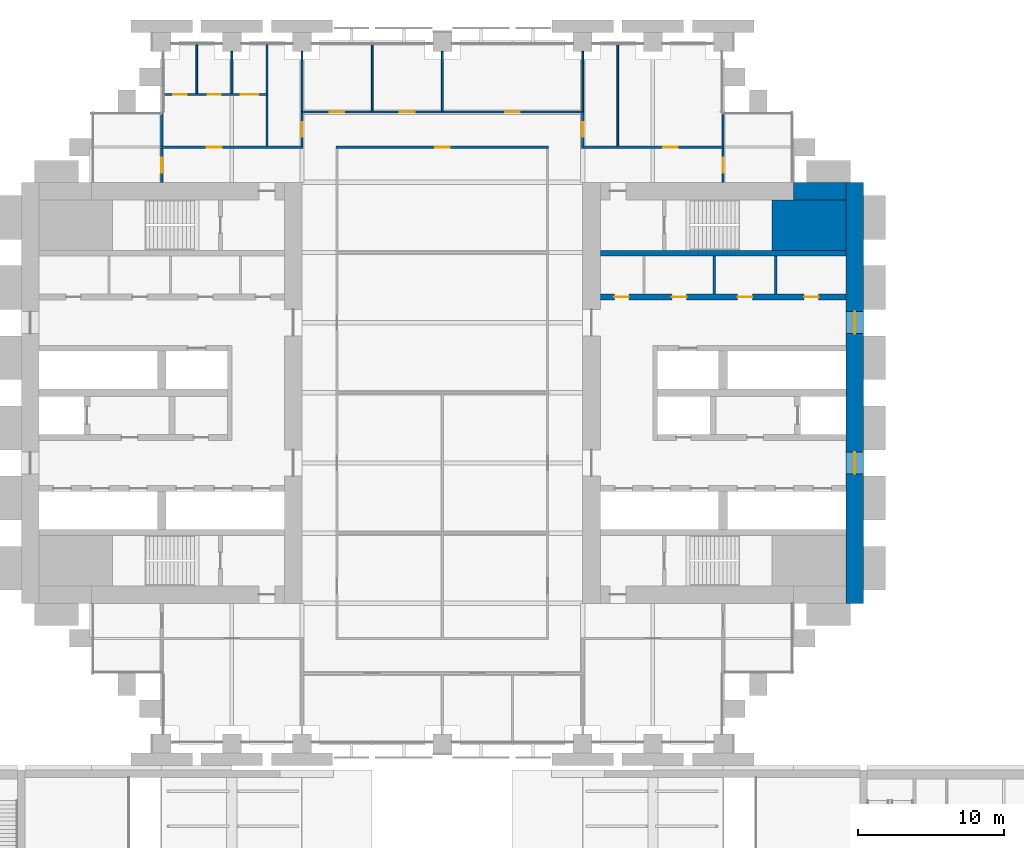
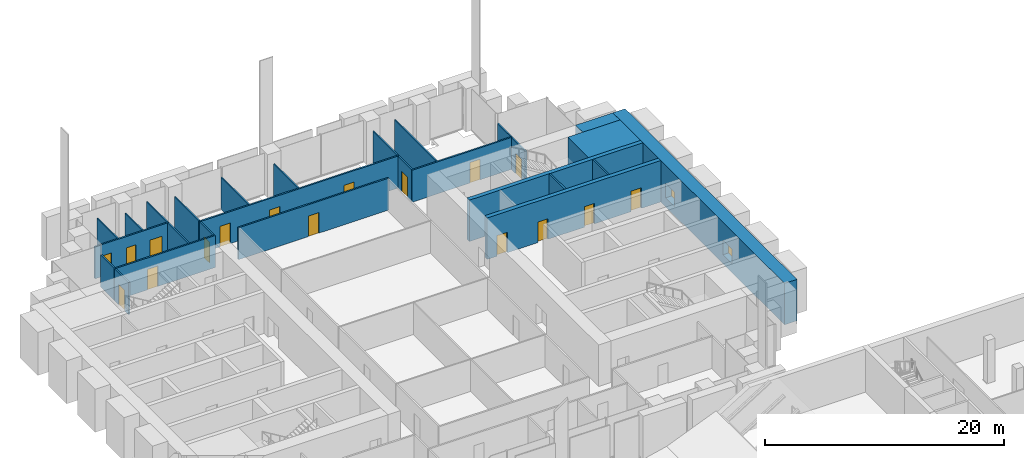
# One storey, part 24 of 32: 27 walls, 17 doors, 2 windows, 19 openings.
"""IFC4 building model written with IfcOpenShell, lengths in metres."""

from ifc_helpers import new_model, si_unit, direction, frame, frame_2d, origin, place, context, subcontext, project, spatial, rectangle, extrude, material, layer, layer_set, type_object, element, fill, save


model = new_model("IFC4")

# Units and contexts
model_context = context("Model", 3, precision=1e-05, world=origin(), true_north=direction((0.0, 1.0)))
body_context = subcontext(model_context, "Body", "Model", "MODEL_VIEW")
ifc_project = project(units=[si_unit("LENGTHUNIT", "METRE"), si_unit("AREAUNIT", "SQUARE_METRE"), si_unit("VOLUMEUNIT", "CUBIC_METRE"), si_unit("PLANEANGLEUNIT", "RADIAN"), si_unit("MASSUNIT", "GRAM", prefix="KILO")], contexts=[model_context])

# Site, building, storey
site_placement = place(None, origin())
site = spatial("IfcSite", under=ifc_project, at=site_placement, CompositionType="ELEMENT")
building_placement = place(site_placement, origin())
building = spatial("IfcBuilding", under=site, at=building_placement, Name="Baori Bourse Tower", CompositionType="ELEMENT")
storey_placement = place(building_placement, frame((0.0, 0.0, 12.60009765625)))
storey = spatial("IfcBuildingStorey", under=building, at=storey_placement, Name="L01", CompositionType="ELEMENT", Elevation=12.60009765625)

# Walls
ifc_material_1 = material(Name="Concrete f'c 70 MPa", Category="concrete")
wall_type_1 = type_object("IfcWallType", Name="Core corner block f'c 70", PredefinedType="SHEAR", material=ifc_material_1)
wall_1_placement = place(storey_placement, frame((51.35009765625, 35.47509765625, 0.0), z_axis=(0.0, 0.0, 1.0), x_axis=(1.0, 0.0, 0.0)))
element("IfcWall", 1, at=wall_1_placement, inside=storey, type_object=wall_type_1, Name="Core wall E22", PredefinedType="SHEAR", context=body_context, shape_type="SweptSolid", body=[
    extrude(rectangle(XDim=5.0498046875, YDim=3.449951171875, at=frame_2d((2.52490234375, 0.0))), origin(), (0.0, 0.0, 1.0), 4.239990234375),
])
ifc_material_2 = material(Name="Blockwork partition", Category="masonry")
ifc_layer_1 = layer(ifc_material_2, 0.14990234375)
ifc_layer_set_1 = layer_set([ifc_layer_1], Name="Core partition 150")
wall_type_2 = type_object("IfcWallType", Name="Core partition 150", PredefinedType="PARTITIONING", material=ifc_layer_set_1)
for number, where, z_axis, x_axis, name in (
    (2, (51.60009765625, 30.75, 0.0), (0.0, 0.0, 1.0), (0.0, 1.0, 0.0), "Partition wall E18"),
    (3, (47.39990234375, 30.75, 0.0), (0.0, 0.0, 1.0), (0.0, 1.0, 0.0), "Partition wall E19"),
):
    element("IfcWall", number, at=place(storey_placement, frame(where, z_axis=z_axis, x_axis=x_axis)), inside=storey, type_object=wall_type_2, Name=name, PredefinedType="PARTITIONING", context=body_context, shape_type="SweptSolid", body=[
        extrude(rectangle(XDim=2.60009765625, YDim=0.14990234375, at=frame_2d((1.300048828125, 0.0))), origin(), (0.0, 0.0, 1.0), 4.239990234375),
    ])

# Wall, openings, windows
ifc_material_3 = material(Name="Concrete f'c 70 MPa", Category="concrete")
ifc_layer_2 = layer(ifc_material_3, 1.199951171875)
ifc_layer_set_2 = layer_set([ifc_layer_2], Name="Core wall 1200 f'c 70")
wall_type_3 = type_object("IfcWallType", Name="Core wall 1200 f'c 70", PredefinedType="SHEAR", material=ifc_layer_set_2)
wall_2_placement = place(storey_placement, frame((57.0, 38.39990234375, 0.0), z_axis=(0.0, 0.0, 1.0), x_axis=(0.0, -1.0, 0.0)))
wall_2 = element("IfcWall", 4, at=wall_2_placement, inside=storey, type_object=wall_type_3, Name="Core wall E01", PredefinedType="SHEAR", context=body_context, shape_type="SweptSolid", body=[
    extrude(rectangle(XDim=28.7998046875, YDim=1.199951171875, at=frame_2d((14.39990234375, 0.0))), origin(), (0.0, 0.0, 1.0), 4.239990234375),
])
opening_1_placement = place(wall_2_placement, frame((18.449951171875, 0.0, 0.89990234375)))
opening_1 = element("IfcOpeningElement", 5, at=opening_1_placement, cuts=wall_2, Name="Opening L01-KW201", PredefinedType="OPENING", context=body_context, shape_type="SweptSolid", body=[
    extrude(rectangle(XDim=1.5, YDim=1.5, at=frame_2d((0.75, 0.75))), frame((0.0, 0.60986328125, 0.0), z_axis=(0.0, -1.0, 0.0), x_axis=(1.0, 0.0, 0.0)), (0.0, 0.0, 1.0), 1.219970703125),
])
opening_2_placement = place(wall_2_placement, frame((8.85009765625, 0.0, 0.89990234375)))
opening_2 = element("IfcOpeningElement", 6, at=opening_2_placement, cuts=wall_2, Name="Opening L01-KW202", PredefinedType="OPENING", context=body_context, shape_type="SweptSolid", body=[
    extrude(rectangle(XDim=1.5, YDim=1.5, at=frame_2d((0.75, 0.75))), frame((0.0, 0.60986328125, 0.0), z_axis=(0.0, -1.0, 0.0), x_axis=(1.0, 0.0, 0.0)), (0.0, 0.0, 1.0), 1.219970703125),
])
ifc_material_4 = material(Name="Pale anodised aluminium", Category="aluminium")
window_type = type_object("IfcWindowType", Name="Lobby window 1500 x 1500", PartitioningType="SINGLE_PANEL", PredefinedType="WINDOW", material=ifc_material_4)
window_1_placement = place(opening_1_placement, origin())
window_1 = element("IfcWindow", 7, at=window_1_placement, inside=storey, type_object=window_type, Name="Outer wall window E L01 1", OverallHeight=1.5, OverallWidth=1.5, PartitioningType="SINGLE_PANEL", PredefinedType="WINDOW", context=body_context, shape_type="SweptSolid", body=[
    extrude(rectangle(XDim=1.5, YDim=1.5, at=frame_2d((0.75, 0.75))), frame((0.0, 0.030029296875, 0.0), z_axis=(0.0, -1.0, 0.0), x_axis=(1.0, 0.0, 0.0)), (0.0, 0.0, 1.0), 0.06005859375),
])
fill(opening_1, window_1)
window_2_placement = place(opening_2_placement, origin())
window_2 = element("IfcWindow", 8, at=window_2_placement, inside=storey, type_object=window_type, Name="Outer wall window E L01 2", OverallHeight=1.5, OverallWidth=1.5, PartitioningType="SINGLE_PANEL", PredefinedType="WINDOW", context=body_context, shape_type="SweptSolid", body=[
    extrude(rectangle(XDim=1.5, YDim=1.5, at=frame_2d((0.75, 0.75))), frame((0.0, 0.030029296875, 0.0), z_axis=(0.0, -1.0, 0.0), x_axis=(1.0, 0.0, 0.0)), (0.0, 0.0, 1.0), 0.06005859375),
])
fill(opening_2, window_2)

# Wall
wall_3_placement = place(storey_placement, frame((52.800048828125, 37.800048828125, 0.0), z_axis=(0.0, 0.0, 1.0), x_axis=(1.0, 0.0, 0.0)))
element("IfcWall", 9, at=wall_3_placement, inside=storey, type_object=wall_type_3, Name="Core wall E24", PredefinedType="SHEAR", context=body_context, shape_type="SweptSolid", body=[
    extrude(rectangle(XDim=3.599853515625, YDim=1.199951171875, at=frame_2d((1.7998046875, 0.0))), origin(), (0.0, 0.0, 1.0), 4.239990234375),
])

# Wall, opening, door
ifc_material_5 = material(Name="Gypsum board partition")
ifc_layer_3 = layer(ifc_material_5, 0.14990234375)
ifc_layer_set_3 = layer_set([ifc_layer_3], Name="Corridor partition 150")
wall_type_4 = type_object("IfcWallType", Name="Corridor partition 150", PredefinedType="PARTITIONING", material=ifc_layer_set_3)
wall_4_placement = place(storey_placement, frame((9.52490234375, 40.800048828125, 0.0), z_axis=(0.0, 0.0, 1.0), x_axis=(1.0, 0.0, 0.0)))
wall_4 = element("IfcWall", 10, at=wall_4_placement, inside=storey, type_object=wall_type_4, Name="Partition", PredefinedType="PARTITIONING", context=body_context, shape_type="SweptSolid", body=[
    extrude(rectangle(XDim=9.75, YDim=0.14990234375, at=frame_2d((4.875, 0.0))), origin(), (0.0, 0.0, 1.0), 3.26953125),
])
opening_3_placement = place(wall_4_placement, frame((3.175048828125, 0.0, 0.0)))
opening_3 = element("IfcOpeningElement", 11, at=opening_3_placement, cuts=wall_4, Name="Opening L01-D06", PredefinedType="OPENING", context=body_context, shape_type="SweptSolid", body=[
    extrude(rectangle(XDim=1.0, YDim=2.10009765625, at=frame_2d((0.5, 1.050048828125))), frame((0.0, 0.0849609375, 0.0), z_axis=(0.0, -1.0, 0.0), x_axis=(1.0, 0.0, 0.0)), (0.0, 0.0, 1.0), 0.169921875),
])
ifc_material_6 = material(Name="Timber door leaf", Category="wood")
door_type_1 = type_object("IfcDoorType", Name="Door 1000 x 2100", OperationType="SINGLE_SWING_LEFT", PredefinedType="DOOR", material=ifc_material_6)
door_1_placement = place(opening_3_placement, origin())
door_1 = element("IfcDoor", 12, at=door_1_placement, inside=storey, type_object=door_type_1, Name="Door", OperationType="SINGLE_SWING_LEFT", OverallHeight=2.10009765625, OverallWidth=1.0, PredefinedType="DOOR", context=body_context, shape_type="SweptSolid", body=[
    extrude(rectangle(XDim=1.0, YDim=2.10009765625, at=frame_2d((0.5, 1.050048828125))), frame((0.0, 0.02490234375, 0.0), z_axis=(0.0, -1.0, 0.0), x_axis=(1.0, 0.0, 0.0)), (0.0, 0.0, 1.0), 0.050048828125),
])
fill(opening_3, door_1)

wall_5_placement = place(storey_placement, frame((21.52490234375, 40.800048828125, 0.0), z_axis=(0.0, 0.0, 1.0), x_axis=(1.0, 0.0, 0.0)))
wall_5 = element("IfcWall", 13, at=wall_5_placement, inside=storey, type_object=wall_type_4, Name="Partition", PredefinedType="PARTITIONING", context=body_context, shape_type="SweptSolid", body=[
    extrude(rectangle(XDim=14.550048828125, YDim=0.14990234375, at=frame_2d((7.27490234375, 0.0))), origin(), (0.0, 0.0, 1.0), 3.26953125),
])
opening_4_placement = place(wall_5_placement, frame((6.77490234375, 0.0, 0.0)))
opening_4 = element("IfcOpeningElement", 14, at=opening_4_placement, cuts=wall_5, Name="Opening L01-D07", PredefinedType="OPENING", context=body_context, shape_type="SweptSolid", body=[
    extrude(rectangle(XDim=1.0, YDim=2.10009765625, at=frame_2d((0.5, 1.050048828125))), frame((0.0, 0.0849609375, 0.0), z_axis=(0.0, -1.0, 0.0), x_axis=(1.0, 0.0, 0.0)), (0.0, 0.0, 1.0), 0.169921875),
])
door_2_placement = place(opening_4_placement, origin())
door_2 = element("IfcDoor", 15, at=door_2_placement, inside=storey, type_object=door_type_1, Name="Door", OperationType="SINGLE_SWING_LEFT", OverallHeight=2.10009765625, OverallWidth=1.0, PredefinedType="DOOR", context=body_context, shape_type="SweptSolid", body=[
    extrude(rectangle(XDim=1.0, YDim=2.10009765625, at=frame_2d((0.5, 1.050048828125))), frame((0.0, 0.02490234375, 0.0), z_axis=(0.0, -1.0, 0.0), x_axis=(1.0, 0.0, 0.0)), (0.0, 0.0, 1.0), 0.050048828125),
])
fill(opening_4, door_2)

wall_6_placement = place(storey_placement, frame((38.324951171875, 40.800048828125, 0.0), z_axis=(0.0, 0.0, 1.0), x_axis=(1.0, 0.0, 0.0)))
wall_6 = element("IfcWall", 16, at=wall_6_placement, inside=storey, type_object=wall_type_4, Name="Partition", PredefinedType="PARTITIONING", context=body_context, shape_type="SweptSolid", body=[
    extrude(rectangle(XDim=9.75, YDim=0.14990234375, at=frame_2d((4.875, 0.0))), origin(), (0.0, 0.0, 1.0), 3.26953125),
])
opening_5_placement = place(wall_6_placement, frame((5.574951171875, 0.0, 0.0)))
opening_5 = element("IfcOpeningElement", 17, at=opening_5_placement, cuts=wall_6, Name="Opening L01-D08", PredefinedType="OPENING", context=body_context, shape_type="SweptSolid", body=[
    extrude(rectangle(XDim=1.0, YDim=2.10009765625, at=frame_2d((0.5, 1.050048828125))), frame((0.0, 0.0849609375, 0.0), z_axis=(0.0, -1.0, 0.0), x_axis=(1.0, 0.0, 0.0)), (0.0, 0.0, 1.0), 0.169921875),
])
door_3_placement = place(opening_5_placement, origin())
door_3 = element("IfcDoor", 18, at=door_3_placement, inside=storey, type_object=door_type_1, Name="Door", OperationType="SINGLE_SWING_LEFT", OverallHeight=2.10009765625, OverallWidth=1.0, PredefinedType="DOOR", context=body_context, shape_type="SweptSolid", body=[
    extrude(rectangle(XDim=1.0, YDim=2.10009765625, at=frame_2d((0.5, 1.050048828125))), frame((0.0, 0.02490234375, 0.0), z_axis=(0.0, -1.0, 0.0), x_axis=(1.0, 0.0, 0.0)), (0.0, 0.0, 1.0), 0.050048828125),
])
fill(opening_5, door_3)

# Wall, openings, doors
wall_7_placement = place(storey_placement, frame((19.125, 43.199951171875, 0.0), z_axis=(0.0, 0.0, 1.0), x_axis=(1.0, 0.0, 0.0)))
wall_7 = element("IfcWall", 19, at=wall_7_placement, inside=storey, type_object=wall_type_4, Name="Partition", PredefinedType="PARTITIONING", context=body_context, shape_type="SweptSolid", body=[
    extrude(rectangle(XDim=19.35009765625, YDim=0.14990234375, at=frame_2d((9.675048828125, 0.0))), origin(), (0.0, 0.0, 1.0), 3.26953125),
])
opening_6_placement = place(wall_7_placement, frame((1.97509765625, 0.0, 0.0)))
opening_6 = element("IfcOpeningElement", 20, at=opening_6_placement, cuts=wall_7, Name="Opening L01-D09", PredefinedType="OPENING", context=body_context, shape_type="SweptSolid", body=[
    extrude(rectangle(XDim=1.0, YDim=2.10009765625, at=frame_2d((0.5, 1.050048828125))), frame((0.0, 0.0849609375, 0.0), z_axis=(0.0, -1.0, 0.0), x_axis=(1.0, 0.0, 0.0)), (0.0, 0.0, 1.0), 0.169921875),
])
opening_7_placement = place(wall_7_placement, frame((6.77490234375, 0.0, 0.0)))
opening_7 = element("IfcOpeningElement", 21, at=opening_7_placement, cuts=wall_7, Name="Opening L01-D10", PredefinedType="OPENING", context=body_context, shape_type="SweptSolid", body=[
    extrude(rectangle(XDim=1.0, YDim=2.10009765625, at=frame_2d((0.5, 1.050048828125))), frame((0.0, 0.0849609375, 0.0), z_axis=(0.0, -1.0, 0.0), x_axis=(1.0, 0.0, 0.0)), (0.0, 0.0, 1.0), 0.169921875),
])
opening_8_placement = place(wall_7_placement, frame((13.97509765625, 0.0, 0.0)))
opening_8 = element("IfcOpeningElement", 22, at=opening_8_placement, cuts=wall_7, Name="Opening L01-D11", PredefinedType="OPENING", context=body_context, shape_type="SweptSolid", body=[
    extrude(rectangle(XDim=1.0, YDim=2.10009765625, at=frame_2d((0.5, 1.050048828125))), frame((0.0, 0.0849609375, 0.0), z_axis=(0.0, -1.0, 0.0), x_axis=(1.0, 0.0, 0.0)), (0.0, 0.0, 1.0), 0.169921875),
])
door_4_placement = place(opening_6_placement, origin())
door_4 = element("IfcDoor", 23, at=door_4_placement, inside=storey, type_object=door_type_1, Name="Door", OperationType="SINGLE_SWING_RIGHT", OverallHeight=2.10009765625, OverallWidth=1.0, PredefinedType="DOOR", context=body_context, shape_type="SweptSolid", body=[
    extrude(rectangle(XDim=1.0, YDim=2.10009765625, at=frame_2d((0.5, 1.050048828125))), frame((0.0, 0.02490234375, 0.0), z_axis=(0.0, -1.0, 0.0), x_axis=(1.0, 0.0, 0.0)), (0.0, 0.0, 1.0), 0.050048828125),
])
fill(opening_6, door_4)
door_5_placement = place(opening_7_placement, origin())
door_5 = element("IfcDoor", 24, at=door_5_placement, inside=storey, type_object=door_type_1, Name="Door", OperationType="SINGLE_SWING_RIGHT", OverallHeight=2.10009765625, OverallWidth=1.0, PredefinedType="DOOR", context=body_context, shape_type="SweptSolid", body=[
    extrude(rectangle(XDim=1.0, YDim=2.10009765625, at=frame_2d((0.5, 1.050048828125))), frame((0.0, 0.02490234375, 0.0), z_axis=(0.0, -1.0, 0.0), x_axis=(1.0, 0.0, 0.0)), (0.0, 0.0, 1.0), 0.050048828125),
])
fill(opening_7, door_5)
door_6_placement = place(opening_8_placement, origin())
door_6 = element("IfcDoor", 25, at=door_6_placement, inside=storey, type_object=door_type_1, Name="Door", OperationType="SINGLE_SWING_LEFT", OverallHeight=2.10009765625, OverallWidth=1.0, PredefinedType="DOOR", context=body_context, shape_type="SweptSolid", body=[
    extrude(rectangle(XDim=1.0, YDim=2.10009765625, at=frame_2d((0.5, 1.050048828125))), frame((0.0, 0.02490234375, 0.0), z_axis=(0.0, -1.0, 0.0), x_axis=(1.0, 0.0, 0.0)), (0.0, 0.0, 1.0), 0.050048828125),
])
fill(opening_8, door_6)

wall_8_placement = place(storey_placement, frame((9.699951171875, 44.39990234375, 0.0), z_axis=(0.0, 0.0, 1.0), x_axis=(1.0, 0.0, 0.0)))
wall_8 = element("IfcWall", 26, at=wall_8_placement, inside=storey, type_object=wall_type_4, Name="Partition", PredefinedType="PARTITIONING", context=body_context, shape_type="SweptSolid", body=[
    extrude(rectangle(XDim=7.175048828125, YDim=0.14990234375, at=frame_2d((3.58740234375, 0.0))), origin(), (0.0, 0.0, 1.0), 3.26953125),
])
opening_9_placement = place(wall_8_placement, frame((0.699951171875, 0.0, 0.0)))
opening_9 = element("IfcOpeningElement", 27, at=opening_9_placement, cuts=wall_8, Name="Opening L01-D12", PredefinedType="OPENING", context=body_context, shape_type="SweptSolid", body=[
    extrude(rectangle(XDim=0.89990234375, YDim=2.10009765625, at=frame_2d((0.449951171875, 1.050048828125))), frame((0.0, 0.0849609375, 0.0), z_axis=(0.0, -1.0, 0.0), x_axis=(1.0, 0.0, 0.0)), (0.0, 0.0, 1.0), 0.169921875),
])
opening_10_placement = place(wall_8_placement, frame((3.050048828125, 0.0, 0.0)))
opening_10 = element("IfcOpeningElement", 28, at=opening_10_placement, cuts=wall_8, Name="Opening L01-D13", PredefinedType="OPENING", context=body_context, shape_type="SweptSolid", body=[
    extrude(rectangle(XDim=0.89990234375, YDim=2.10009765625, at=frame_2d((0.449951171875, 1.050048828125))), frame((0.0, 0.0849609375, 0.0), z_axis=(0.0, -1.0, 0.0), x_axis=(1.0, 0.0, 0.0)), (0.0, 0.0, 1.0), 0.169921875),
])
opening_11_placement = place(wall_8_placement, frame((5.300048828125, 0.0, 0.0)))
opening_11 = element("IfcOpeningElement", 29, at=opening_11_placement, cuts=wall_8, Name="Opening L01-D14", PredefinedType="OPENING", context=body_context, shape_type="SweptSolid", body=[
    extrude(rectangle(XDim=1.199951171875, YDim=2.10009765625, at=frame_2d((0.60009765625, 1.050048828125))), frame((0.0, 0.0849609375, 0.0), z_axis=(0.0, -1.0, 0.0), x_axis=(1.0, 0.0, 0.0)), (0.0, 0.0, 1.0), 0.169921875),
])
ifc_material_7 = material(Name="Timber door leaf", Category="wood")
door_type_2 = type_object("IfcDoorType", Name="Door 1200 x 2100", OperationType="SINGLE_SWING_LEFT", PredefinedType="DOOR", material=ifc_material_7)
door_7_placement = place(opening_11_placement, origin())
door_7 = element("IfcDoor", 30, at=door_7_placement, inside=storey, type_object=door_type_2, Name="Door", OperationType="SINGLE_SWING_LEFT", OverallHeight=2.10009765625, OverallWidth=1.199951171875, PredefinedType="DOOR", context=body_context, shape_type="SweptSolid", body=[
    extrude(rectangle(XDim=1.199951171875, YDim=2.10009765625, at=frame_2d((0.60009765625, 1.050048828125))), frame((0.0, 0.02490234375, 0.0), z_axis=(0.0, -1.0, 0.0), x_axis=(1.0, 0.0, 0.0)), (0.0, 0.0, 1.0), 0.050048828125),
])
fill(opening_11, door_7)
ifc_material_8 = material(Name="Timber door leaf", Category="wood")
door_type_3 = type_object("IfcDoorType", Name="Door 900 x 2100", OperationType="SINGLE_SWING_LEFT", PredefinedType="DOOR", material=ifc_material_8)
door_8_placement = place(opening_9_placement, origin())
door_8 = element("IfcDoor", 31, at=door_8_placement, inside=storey, type_object=door_type_3, Name="Door", OperationType="SINGLE_SWING_RIGHT", OverallHeight=2.10009765625, OverallWidth=0.89990234375, PredefinedType="DOOR", context=body_context, shape_type="SweptSolid", body=[
    extrude(rectangle(XDim=0.89990234375, YDim=2.10009765625, at=frame_2d((0.449951171875, 1.050048828125))), frame((0.0, 0.02490234375, 0.0), z_axis=(0.0, -1.0, 0.0), x_axis=(1.0, 0.0, 0.0)), (0.0, 0.0, 1.0), 0.050048828125),
])
fill(opening_9, door_8)
door_9_placement = place(opening_10_placement, origin())
door_9 = element("IfcDoor", 32, at=door_9_placement, inside=storey, type_object=door_type_3, Name="Door", OperationType="SINGLE_SWING_RIGHT", OverallHeight=2.10009765625, OverallWidth=0.89990234375, PredefinedType="DOOR", context=body_context, shape_type="SweptSolid", body=[
    extrude(rectangle(XDim=0.89990234375, YDim=2.10009765625, at=frame_2d((0.449951171875, 1.050048828125))), frame((0.0, 0.02490234375, 0.0), z_axis=(0.0, -1.0, 0.0), x_axis=(1.0, 0.0, 0.0)), (0.0, 0.0, 1.0), 0.050048828125),
])
fill(opening_10, door_9)

# Wall, opening, door
wall_9_placement = place(storey_placement, frame((9.60009765625, 38.39990234375, 0.0), z_axis=(0.0, 0.0, 1.0), x_axis=(0.0, 1.0, 0.0)))
wall_9 = element("IfcWall", 33, at=wall_9_placement, inside=storey, type_object=wall_type_4, Name="Partition", PredefinedType="PARTITIONING", context=body_context, shape_type="SweptSolid", body=[
    extrude(rectangle(XDim=2.3251953125, YDim=0.14990234375, at=frame_2d((1.16259765625, 0.0))), origin(), (0.0, 0.0, 1.0), 3.26953125),
])
opening_12_placement = place(wall_9_placement, frame((0.66259765625, 0.0, 0.0)))
opening_12 = element("IfcOpeningElement", 34, at=opening_12_placement, cuts=wall_9, Name="Opening L01-D16", PredefinedType="OPENING", context=body_context, shape_type="SweptSolid", body=[
    extrude(rectangle(XDim=1.0, YDim=2.10009765625, at=frame_2d((0.5, 1.050048828125))), frame((0.0, 0.0849609375, 0.0), z_axis=(0.0, -1.0, 0.0), x_axis=(1.0, 0.0, 0.0)), (0.0, 0.0, 1.0), 0.169921875),
])
door_10_placement = place(opening_12_placement, origin())
door_10 = element("IfcDoor", 35, at=door_10_placement, inside=storey, type_object=door_type_1, Name="Door", OperationType="SINGLE_SWING_RIGHT", OverallHeight=2.10009765625, OverallWidth=1.0, PredefinedType="DOOR", context=body_context, shape_type="SweptSolid", body=[
    extrude(rectangle(XDim=1.0, YDim=2.10009765625, at=frame_2d((0.5, 1.050048828125))), frame((0.0, 0.02490234375, 0.0), z_axis=(0.0, -1.0, 0.0), x_axis=(1.0, 0.0, 0.0)), (0.0, 0.0, 1.0), 0.050048828125),
])
fill(opening_12, door_10)

# Walls
wall_10_placement = place(storey_placement, frame((9.60009765625, 40.875, 0.0), z_axis=(0.0, 0.0, 1.0), x_axis=(0.0, 1.0, 0.0)))
element("IfcWall", 36, at=wall_10_placement, inside=storey, type_object=wall_type_4, Name="Partition", PredefinedType="PARTITIONING", context=body_context, shape_type="SweptSolid", body=[
    extrude(rectangle(XDim=2.22509765625, YDim=0.14990234375, at=frame_2d((1.112548828125, 0.0))), origin(), (0.0, 0.0, 1.0), 3.26953125),
])
wall_11_placement = place(storey_placement, frame((16.800048828125, 40.875, 0.0), z_axis=(0.0, 0.0, 1.0), x_axis=(0.0, 1.0, 0.0)))
element("IfcWall", 37, at=wall_11_placement, inside=storey, type_object=wall_type_4, Name="Partition", PredefinedType="PARTITIONING", context=body_context, shape_type="SweptSolid", body=[
    extrude(rectangle(XDim=3.449951171875, YDim=0.14990234375, at=frame_2d((1.72509765625, 0.0))), origin(), (0.0, 0.0, 1.0), 3.26953125),
])

# Wall, opening, door
wall_12_placement = place(storey_placement, frame((19.199951171875, 40.875, 0.0), z_axis=(0.0, 0.0, 1.0), x_axis=(0.0, 1.0, 0.0)))
wall_12 = element("IfcWall", 38, at=wall_12_placement, inside=storey, type_object=wall_type_4, Name="Partition", PredefinedType="PARTITIONING", context=body_context, shape_type="SweptSolid", body=[
    extrude(rectangle(XDim=2.25, YDim=0.14990234375, at=frame_2d((1.125, 0.0))), origin(), (0.0, 0.0, 1.0), 3.26953125),
])
opening_13_placement = place(wall_12_placement, frame((0.625, 0.0, 0.0)))
opening_13 = element("IfcOpeningElement", 39, at=opening_13_placement, cuts=wall_12, Name="Opening L01-D17", PredefinedType="OPENING", context=body_context, shape_type="SweptSolid", body=[
    extrude(rectangle(XDim=1.0, YDim=2.10009765625, at=frame_2d((0.5, 1.050048828125))), frame((0.0, 0.0849609375, 0.0), z_axis=(0.0, -1.0, 0.0), x_axis=(1.0, 0.0, 0.0)), (0.0, 0.0, 1.0), 0.169921875),
])
door_11_placement = place(opening_13_placement, origin())
door_11 = element("IfcDoor", 40, at=door_11_placement, inside=storey, type_object=door_type_1, Name="Door", OperationType="SINGLE_SWING_RIGHT", OverallHeight=2.10009765625, OverallWidth=1.0, PredefinedType="DOOR", context=body_context, shape_type="SweptSolid", body=[
    extrude(rectangle(XDim=1.0, YDim=2.10009765625, at=frame_2d((0.5, 1.050048828125))), frame((0.0, 0.02490234375, 0.0), z_axis=(0.0, -1.0, 0.0), x_axis=(1.0, 0.0, 0.0)), (0.0, 0.0, 1.0), 0.050048828125),
])
fill(opening_13, door_11)

wall_13_placement = place(storey_placement, frame((38.39990234375, 40.875, 0.0), z_axis=(0.0, 0.0, 1.0), x_axis=(0.0, 1.0, 0.0)))
wall_13 = element("IfcWall", 41, at=wall_13_placement, inside=storey, type_object=wall_type_4, Name="Partition", PredefinedType="PARTITIONING", context=body_context, shape_type="SweptSolid", body=[
    extrude(rectangle(XDim=2.25, YDim=0.14990234375, at=frame_2d((1.125, 0.0))), origin(), (0.0, 0.0, 1.0), 3.26953125),
])
opening_14_placement = place(wall_13_placement, frame((0.625, 0.0, 0.0)))
opening_14 = element("IfcOpeningElement", 42, at=opening_14_placement, cuts=wall_13, Name="Opening L01-D23", PredefinedType="OPENING", context=body_context, shape_type="SweptSolid", body=[
    extrude(rectangle(XDim=1.0, YDim=2.10009765625, at=frame_2d((0.5, 1.050048828125))), frame((0.0, 0.0849609375, 0.0), z_axis=(0.0, -1.0, 0.0), x_axis=(1.0, 0.0, 0.0)), (0.0, 0.0, 1.0), 0.169921875),
])
door_12_placement = place(opening_14_placement, origin())
door_12 = element("IfcDoor", 43, at=door_12_placement, inside=storey, type_object=door_type_1, Name="Door", OperationType="SINGLE_SWING_LEFT", OverallHeight=2.10009765625, OverallWidth=1.0, PredefinedType="DOOR", context=body_context, shape_type="SweptSolid", body=[
    extrude(rectangle(XDim=1.0, YDim=2.10009765625, at=frame_2d((0.5, 1.050048828125))), frame((0.0, 0.02490234375, 0.0), z_axis=(0.0, -1.0, 0.0), x_axis=(1.0, 0.0, 0.0)), (0.0, 0.0, 1.0), 0.050048828125),
])
fill(opening_14, door_12)

wall_14_placement = place(storey_placement, frame((48.0, 38.39990234375, 0.0), z_axis=(0.0, 0.0, 1.0), x_axis=(0.0, 1.0, 0.0)))
wall_14 = element("IfcWall", 44, at=wall_14_placement, inside=storey, type_object=wall_type_4, Name="Partition", PredefinedType="PARTITIONING", context=body_context, shape_type="SweptSolid", body=[
    extrude(rectangle(XDim=2.3251953125, YDim=0.14990234375, at=frame_2d((1.16259765625, 0.0))), origin(), (0.0, 0.0, 1.0), 3.26953125),
])
opening_15_placement = place(wall_14_placement, frame((0.66259765625, 0.0, 0.0)))
opening_15 = element("IfcOpeningElement", 45, at=opening_15_placement, cuts=wall_14, Name="Opening L01-D25", PredefinedType="OPENING", context=body_context, shape_type="SweptSolid", body=[
    extrude(rectangle(XDim=1.0, YDim=2.10009765625, at=frame_2d((0.5, 1.050048828125))), frame((0.0, 0.0849609375, 0.0), z_axis=(0.0, -1.0, 0.0), x_axis=(1.0, 0.0, 0.0)), (0.0, 0.0, 1.0), 0.169921875),
])
door_13_placement = place(opening_15_placement, origin())
door_13 = element("IfcDoor", 46, at=door_13_placement, inside=storey, type_object=door_type_1, Name="Door", OperationType="SINGLE_SWING_LEFT", OverallHeight=2.10009765625, OverallWidth=1.0, PredefinedType="DOOR", context=body_context, shape_type="SweptSolid", body=[
    extrude(rectangle(XDim=1.0, YDim=2.10009765625, at=frame_2d((0.5, 1.050048828125))), frame((0.0, 0.02490234375, 0.0), z_axis=(0.0, -1.0, 0.0), x_axis=(1.0, 0.0, 0.0)), (0.0, 0.0, 1.0), 0.050048828125),
])
fill(opening_15, door_13)

# Walls
ifc_material_9 = material(Name="Gypsum board partition")
ifc_layer_4 = layer(ifc_material_9, 0.125)
ifc_layer_set_4 = layer_set([ifc_layer_4], Name="Partition 125")
wall_type_5 = type_object("IfcWallType", Name="Partition 125", PredefinedType="PARTITIONING", material=ifc_layer_set_4)
wall_15_placement = place(storey_placement, frame((12.0, 44.47509765625, 0.0), z_axis=(0.0, 0.0, 1.0), x_axis=(0.0, 1.0, 0.0)))
element("IfcWall", 47, at=wall_15_placement, inside=storey, type_object=wall_type_5, Name="Partition", PredefinedType="PARTITIONING", context=body_context, shape_type="SweptSolid", body=[
    extrude(rectangle(XDim=3.4248046875, YDim=0.125, at=frame_2d((1.71240234375, 0.0))), origin(), (0.0, 0.0, 1.0), 3.26953125),
])
wall_16_placement = place(storey_placement, frame((14.39990234375, 44.47509765625, 0.0), z_axis=(0.0, 0.0, 1.0), x_axis=(0.0, 1.0, 0.0)))
element("IfcWall", 48, at=wall_16_placement, inside=storey, type_object=wall_type_5, Name="Partition", PredefinedType="PARTITIONING", context=body_context, shape_type="SweptSolid", body=[
    extrude(rectangle(XDim=2.875, YDim=0.125, at=frame_2d((1.4375, 0.0))), origin(), (0.0, 0.0, 1.0), 3.26953125),
])
wall_17_placement = place(storey_placement, frame((16.800048828125, 44.47509765625, 0.0), z_axis=(0.0, 0.0, 1.0), x_axis=(0.0, 1.0, 0.0)))
element("IfcWall", 49, at=wall_17_placement, inside=storey, type_object=wall_type_5, Name="Partition", PredefinedType="PARTITIONING", context=body_context, shape_type="SweptSolid", body=[
    extrude(rectangle(XDim=3.4248046875, YDim=0.125, at=frame_2d((1.71240234375, 0.0))), origin(), (0.0, 0.0, 1.0), 3.26953125),
])
wall_18_placement = place(storey_placement, frame((19.199951171875, 43.27490234375, 0.0), z_axis=(0.0, 0.0, 1.0), x_axis=(0.0, 1.0, 0.0)))
element("IfcWall", 50, at=wall_18_placement, inside=storey, type_object=wall_type_5, Name="Partition", PredefinedType="PARTITIONING", context=body_context, shape_type="SweptSolid", body=[
    extrude(rectangle(XDim=4.0751953125, YDim=0.125, at=frame_2d((2.03759765625, 0.0))), origin(), (0.0, 0.0, 1.0), 3.26953125),
])
wall_19_placement = place(storey_placement, frame((24.0, 43.27490234375, 0.0), z_axis=(0.0, 0.0, 1.0), x_axis=(0.0, 1.0, 0.0)))
element("IfcWall", 51, at=wall_19_placement, inside=storey, type_object=wall_type_5, Name="Partition", PredefinedType="PARTITIONING", context=body_context, shape_type="SweptSolid", body=[
    extrude(rectangle(XDim=4.625, YDim=0.125, at=frame_2d((2.3125, 0.0))), origin(), (0.0, 0.0, 1.0), 3.26953125),
])
for number, where, z_axis, x_axis, name in (
    (52, (28.800048828125, 43.27490234375, 0.0), (0.0, 0.0, 1.0), (0.0, 1.0, 0.0), "Partition"),
    (53, (38.39990234375, 43.27490234375, 0.0), (0.0, 0.0, 1.0), (0.0, 1.0, 0.0), "Partition"),
):
    element("IfcWall", number, at=place(storey_placement, frame(where, z_axis=z_axis, x_axis=x_axis)), inside=storey, type_object=wall_type_5, Name=name, PredefinedType="PARTITIONING", context=body_context, shape_type="SweptSolid", body=[
        extrude(rectangle(XDim=4.0751953125, YDim=0.125, at=frame_2d((2.03759765625, 0.0))), origin(), (0.0, 0.0, 1.0), 3.26953125),
    ])
wall_20_placement = place(storey_placement, frame((40.800048828125, 40.875, 0.0), z_axis=(0.0, 0.0, 1.0), x_axis=(0.0, 1.0, 0.0)))
element("IfcWall", 54, at=wall_20_placement, inside=storey, type_object=wall_type_5, Name="Partition", PredefinedType="PARTITIONING", context=body_context, shape_type="SweptSolid", body=[
    extrude(rectangle(XDim=7.02490234375, YDim=0.125, at=frame_2d((3.512451171875, 0.0))), origin(), (0.0, 0.0, 1.0), 3.26953125),
])
wall_21_placement = place(storey_placement, frame((48.0, 40.875, 0.0), z_axis=(0.0, 0.0, 1.0), x_axis=(0.0, 1.0, 0.0)))
element("IfcWall", 55, at=wall_21_placement, inside=storey, type_object=wall_type_5, Name="Partition", PredefinedType="PARTITIONING", context=body_context, shape_type="SweptSolid", body=[
    extrude(rectangle(XDim=2.22509765625, YDim=0.125, at=frame_2d((1.112548828125, 0.0))), origin(), (0.0, 0.0, 1.0), 3.26953125),
])

# Wall, openings, doors
ifc_material_10 = material(Name="Concrete f'c 70 MPa", Category="concrete")
ifc_layer_5 = layer(ifc_material_10, 0.39990234375)
ifc_layer_set_5 = layer_set([ifc_layer_5], Name="Shaft wall 400 f'c 70")
wall_type_6 = type_object("IfcWallType", Name="Shaft wall 400 f'c 70", PredefinedType="SHEAR", material=ifc_layer_set_5)
wall_22_placement = place(storey_placement, frame((39.60009765625, 30.550048828125, 0.0), z_axis=(0.0, 0.0, 1.0), x_axis=(1.0, 0.0, 0.0)))
wall_22 = element("IfcWall", 56, at=wall_22_placement, inside=storey, type_object=wall_type_6, Name="Core wall E17", PredefinedType="SHEAR", context=body_context, shape_type="SweptSolid", body=[
    extrude(rectangle(XDim=16.7998046875, YDim=0.39990234375, at=frame_2d((8.39990234375, 0.0))), origin(), (0.0, 0.0, 1.0), 4.239990234375),
])
opening_16_placement = place(wall_22_placement, frame((13.9375, 0.0, 0.0)))
opening_16 = element("IfcOpeningElement", 57, at=opening_16_placement, cuts=wall_22, Name="Opening L01-D209", PredefinedType="OPENING", context=body_context, shape_type="SweptSolid", body=[
    extrude(rectangle(XDim=1.0, YDim=2.10009765625, at=frame_2d((0.5, 1.050048828125))), frame((0.0, 0.2099609375, 0.0), z_axis=(0.0, -1.0, 0.0), x_axis=(1.0, 0.0, 0.0)), (0.0, 0.0, 1.0), 0.419921875),
])
opening_17_placement = place(wall_22_placement, frame((9.39990234375, 0.0, 0.0)))
opening_17 = element("IfcOpeningElement", 58, at=opening_17_placement, cuts=wall_22, Name="Opening L01-D210", PredefinedType="OPENING", context=body_context, shape_type="SweptSolid", body=[
    extrude(rectangle(XDim=1.0, YDim=2.10009765625, at=frame_2d((0.5, 1.050048828125))), frame((0.0, 0.2099609375, 0.0), z_axis=(0.0, -1.0, 0.0), x_axis=(1.0, 0.0, 0.0)), (0.0, 0.0, 1.0), 0.419921875),
])
opening_18_placement = place(wall_22_placement, frame((4.89990234375, 0.0, 0.0)))
opening_18 = element("IfcOpeningElement", 59, at=opening_18_placement, cuts=wall_22, Name="Opening L01-D211", PredefinedType="OPENING", context=body_context, shape_type="SweptSolid", body=[
    extrude(rectangle(XDim=1.0, YDim=2.10009765625, at=frame_2d((0.5, 1.050048828125))), frame((0.0, 0.2099609375, 0.0), z_axis=(0.0, -1.0, 0.0), x_axis=(1.0, 0.0, 0.0)), (0.0, 0.0, 1.0), 0.419921875),
])
opening_19_placement = place(wall_22_placement, frame((0.96240234375, 0.0, 0.0)))
opening_19 = element("IfcOpeningElement", 60, at=opening_19_placement, cuts=wall_22, Name="Opening L01-D212", PredefinedType="OPENING", context=body_context, shape_type="SweptSolid", body=[
    extrude(rectangle(XDim=1.0, YDim=2.10009765625, at=frame_2d((0.5, 1.050048828125))), frame((0.0, 0.2099609375, 0.0), z_axis=(0.0, -1.0, 0.0), x_axis=(1.0, 0.0, 0.0)), (0.0, 0.0, 1.0), 0.419921875),
])
ifc_material_11 = material(Name="Painted steel door", Category="steel")
door_type_4 = type_object("IfcDoorType", Name="Core door 1000", OperationType="SINGLE_SWING_LEFT", PredefinedType="DOOR", material=ifc_material_11)
door_14_placement = place(opening_16_placement, origin())
door_14 = element("IfcDoor", 61, at=door_14_placement, inside=storey, type_object=door_type_4, Name="Men'S Wc door E L01", OperationType="SINGLE_SWING_LEFT", OverallHeight=2.10009765625, OverallWidth=1.0, PredefinedType="DOOR", context=body_context, shape_type="SweptSolid", body=[
    extrude(rectangle(XDim=1.0, YDim=2.10009765625, at=frame_2d((0.5, 1.050048828125))), frame((0.0, 0.02490234375, 0.0), z_axis=(0.0, -1.0, 0.0), x_axis=(1.0, 0.0, 0.0)), (0.0, 0.0, 1.0), 0.050048828125),
])
fill(opening_16, door_14)
door_15_placement = place(opening_17_placement, origin())
door_15 = element("IfcDoor", 62, at=door_15_placement, inside=storey, type_object=door_type_4, Name="Accessible Wc door E L01", OperationType="SINGLE_SWING_LEFT", OverallHeight=2.10009765625, OverallWidth=1.0, PredefinedType="DOOR", context=body_context, shape_type="SweptSolid", body=[
    extrude(rectangle(XDim=1.0, YDim=2.10009765625, at=frame_2d((0.5, 1.050048828125))), frame((0.0, 0.02490234375, 0.0), z_axis=(0.0, -1.0, 0.0), x_axis=(1.0, 0.0, 0.0)), (0.0, 0.0, 1.0), 0.050048828125),
])
fill(opening_17, door_15)
door_16_placement = place(opening_18_placement, origin())
door_16 = element("IfcDoor", 63, at=door_16_placement, inside=storey, type_object=door_type_4, Name="Women'S Wc door E L01", OperationType="SINGLE_SWING_LEFT", OverallHeight=2.10009765625, OverallWidth=1.0, PredefinedType="DOOR", context=body_context, shape_type="SweptSolid", body=[
    extrude(rectangle(XDim=1.0, YDim=2.10009765625, at=frame_2d((0.5, 1.050048828125))), frame((0.0, 0.02490234375, 0.0), z_axis=(0.0, -1.0, 0.0), x_axis=(1.0, 0.0, 0.0)), (0.0, 0.0, 1.0), 0.050048828125),
])
fill(opening_18, door_16)
ifc_material_12 = material(Name="Painted steel door", Category="steel")
door_type_5 = type_object("IfcDoorType", Name="Plant room door 1000", OperationType="SINGLE_SWING_LEFT", PredefinedType="DOOR", material=ifc_material_12)
door_17_placement = place(opening_19_placement, origin())
door_17 = element("IfcDoor", 64, at=door_17_placement, inside=storey, type_object=door_type_5, Name="Electrical Room door E L01", OperationType="SINGLE_SWING_LEFT", OverallHeight=2.10009765625, OverallWidth=1.0, PredefinedType="DOOR", context=body_context, shape_type="SweptSolid", body=[
    extrude(rectangle(XDim=1.0, YDim=2.10009765625, at=frame_2d((0.5, 1.050048828125))), frame((0.0, 0.02490234375, 0.0), z_axis=(0.0, -1.0, 0.0), x_axis=(1.0, 0.0, 0.0)), (0.0, 0.0, 1.0), 0.050048828125),
])
fill(opening_19, door_17)

# Wall
wall_23_placement = place(storey_placement, frame((39.60009765625, 33.550048828125, 0.0), z_axis=(0.0, 0.0, 1.0), x_axis=(1.0, 0.0, 0.0)))
element("IfcWall", 65, at=wall_23_placement, inside=storey, type_object=wall_type_6, Name="Core wall E21", PredefinedType="SHEAR", context=body_context, shape_type="SweptSolid", body=[
    extrude(rectangle(XDim=16.7998046875, YDim=0.39990234375, at=frame_2d((8.39990234375, 0.0))), origin(), (0.0, 0.0, 1.0), 4.239990234375),
])

save(model, "model.ifc")
